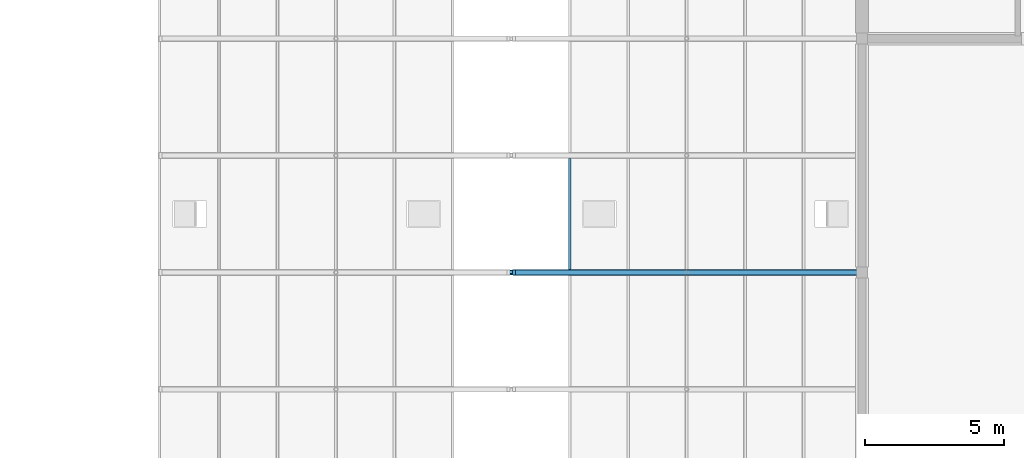
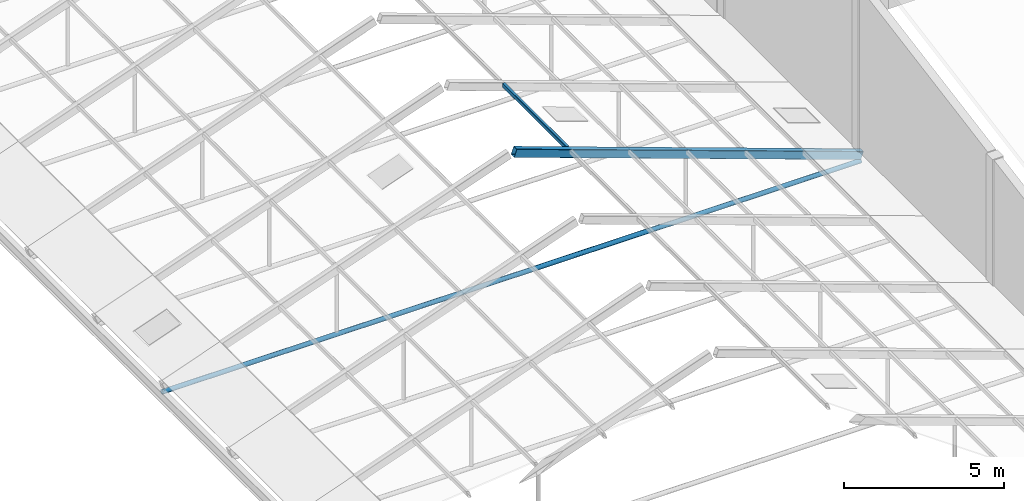
# One storey, part 55 of 116: 3 members.
"""IFC4 building model written with IfcOpenShell, lengths in metres."""

import ifcopenshell
import ifcopenshell.guid

model = None  # the IFC model being written
_history = None  # IfcOwnerHistory: only IFC2X3 demands one
_inside = {}  # id of a spatial element -> (the spatial element, [elements in it])
_under = {}  # id of a project, library or spatial element -> (it, [spatial elements below it])
_declared = {}  # id of a project -> (the project, [libraries it declares])
_typed = {}  # id of a type object -> (the type object, [elements of that type])
_made_of = {}  # id of a material, layer set ... -> (it, [elements and type objects made of it])


def new_model(schema):
    """Start an empty IFC model of exactly this schema.

    Asked for "IFC4X3", IfcOpenShell would pick the latest addendum, in which some entities
    have other attributes; the version numbers below select the first issue.
    IFC2X3 requires an IfcOwnerHistory on every rooted entity: one is made here for all.
    """
    global model, _history
    if schema == "IFC4X3":
        model = ifcopenshell.file(schema_version=(4, 3, 0, 0))
    else:
        model = ifcopenshell.file(schema=schema)
    _inside.clear()
    _under.clear()
    _declared.clear()
    _typed.clear()
    _made_of.clear()
    _history = None
    if model.schema == "IFC2X3":
        org = make("IfcOrganization", Name="unknown")
        user = make(
            "IfcPersonAndOrganization",
            ThePerson=make("IfcPerson", FamilyName="unknown"),
            TheOrganization=org,
        )
        app = make(
            "IfcApplication",
            ApplicationDeveloper=org,
            Version="unknown",
            ApplicationFullName="unknown",
            ApplicationIdentifier="unknown",
        )
        _history = make(
            "IfcOwnerHistory",
            OwningUser=user,
            OwningApplication=app,
            ChangeAction="ADDED",
            CreationDate=0,
        )
    return model


def make(cls, **values):
    """One entity of the class cls with the attributes given. An attribute that is None is left unset."""
    return model.create_entity(
        cls, **{name: value for name, value in values.items() if value is not None}
    )


def rooted(cls, **values):
    """An entity with a GlobalId (a new one), such as an element, a storey or a relation."""
    return make(cls, GlobalId=ifcopenshell.guid.new(), OwnerHistory=_history, **values)


def si_unit(unit_type, name, prefix=None):
    """IfcSIUnit, for example si_unit("LENGTHUNIT", "METRE", prefix="MILLI")."""
    return make("IfcSIUnit", UnitType=unit_type, Prefix=prefix, Name=name)


def assignment(units):
    """IfcUnitAssignment: the units of a project."""
    return None if units is None else make("IfcUnitAssignment", Units=units)


def point(xyz):
    """IfcCartesianPoint."""
    return None if xyz is None else make("IfcCartesianPoint", Coordinates=xyz)


def direction(xyz):
    """IfcDirection."""
    return None if xyz is None else make("IfcDirection", DirectionRatios=xyz)


def frame(location, z_axis=None, x_axis=None):
    """IfcAxis2Placement3D, a coordinate frame: its origin and axes. An axis left out is left unset."""
    return make(
        "IfcAxis2Placement3D",
        Location=point(location),
        Axis=direction(z_axis),
        RefDirection=direction(x_axis),
    )


def frame_2d(location, x_axis=None):
    """IfcAxis2Placement2D, a coordinate frame in the plane: its origin and x axis."""
    return make(
        "IfcAxis2Placement2D", Location=point(location), RefDirection=direction(x_axis)
    )


def origin():
    """The frame at (0, 0, 0) with its axes left unset."""
    return frame((0.0, 0.0, 0.0))


def origin_2d():
    """The frame at (0, 0) in the plane with its x axis left unset."""
    return frame_2d((0.0, 0.0))


def place(relative_to, where):
    """IfcLocalPlacement: puts the frame where relative to a parent placement (None: the world)."""
    return make(
        "IfcLocalPlacement", PlacementRelTo=relative_to, RelativePlacement=where
    )


def context(
    kind, dimensions, precision=None, world=None, true_north=None, identifier=None
):
    """IfcGeometricRepresentationContext, for example the 3D "Model" context."""
    return make(
        "IfcGeometricRepresentationContext",
        ContextIdentifier=identifier,
        ContextType=kind,
        CoordinateSpaceDimension=dimensions,
        Precision=precision,
        WorldCoordinateSystem=world,
        TrueNorth=true_north,
    )


def subcontext(parent, identifier, kind, view, scale=None):
    """IfcGeometricRepresentationSubContext, for example "Body" below "Model"."""
    return make(
        "IfcGeometricRepresentationSubContext",
        ContextIdentifier=identifier,
        ContextType=kind,
        ParentContext=parent,
        TargetScale=scale,
        TargetView=view,
    )


def project(units=None, contexts=None):
    """IfcProject with its units and contexts."""
    return rooted(
        "IfcProject",
        Name="project",
        RepresentationContexts=contexts,
        UnitsInContext=assignment(units),
    )


def spatial(cls, under=None, at=None, **own):
    """A site, building, storey or space (cls), placed at a placement, below another one or the project."""
    s = rooted(cls, ObjectPlacement=at, **own)
    if under is not None:
        _under.setdefault(under.id(), (under, []))[1].append(s)
    return s


def profile(cls, at=None, kind="AREA", **sizes):
    """A parametric profile (cls). Its sizes go by their IFC names, for example OverallWidth=200.0."""
    return make(cls, ProfileType=kind, Position=at, **sizes)


def hollow_rectangle(**sizes):
    """IfcRectangleHollowProfileDef."""
    return profile("IfcRectangleHollowProfileDef", **sizes)


def hollow_circle(**sizes):
    """IfcCircleHollowProfileDef."""
    return profile("IfcCircleHollowProfileDef", **sizes)


def extrude(swept, where, along, depth):
    """IfcExtrudedAreaSolid: the profile swept, set in the frame where, extruded along a direction by depth."""
    return make(
        "IfcExtrudedAreaSolid",
        SweptArea=swept,
        Position=where,
        ExtrudedDirection=direction(along),
        Depth=depth,
    )


def shape(context_of_items, identifier, shape_type, items):
    """IfcShapeRepresentation: the items that make up one representation, for example the "Body"."""
    return make(
        "IfcShapeRepresentation",
        ContextOfItems=context_of_items,
        RepresentationIdentifier=identifier,
        RepresentationType=shape_type,
        Items=items,
    )


def material(Name=None, Category=None):
    """IfcMaterial."""
    return make("IfcMaterial", Name=Name, Category=Category)


def material_profile(
    of_material, cross_section, Name=None, Category=None, Priority=None
):
    """IfcMaterialProfile: a cross section and its material."""
    return make(
        "IfcMaterialProfile",
        Name=Name,
        Material=of_material,
        Profile=cross_section,
        Priority=Priority,
        Category=Category,
    )


def profile_set(profiles, Name=None, composite=None):
    """IfcMaterialProfileSet."""
    return make(
        "IfcMaterialProfileSet",
        Name=Name,
        MaterialProfiles=profiles,
        CompositeProfile=composite,
    )


def made_of(thing, what):
    """Note that an element or type object is made of a material, layer set ...; save() writes the relation."""
    if what is not None:
        _made_of.setdefault(what.id(), (what, []))[1].append(thing)
    return thing


def type_object(cls, material=None, **own):
    """A type object (cls), such as IfcWallType, which elements share."""
    return made_of(rooted(cls, **own), material)


def element(
    cls,
    number,
    at=None,
    inside=None,
    cuts=None,
    type_object=None,
    material=None,
    context=None,
    identifier="Body",
    shape_type=None,
    held_by="IfcProductDefinitionShape",
    body=None,
    shapes=None,
    **own,
):
    """One element of the class cls, such as IfcWall. Its Tag is "e" and its number.

    at: its placement. inside: the storey or other place that contains it. cuts: it is an
    opening in that element (IfcRelVoidsElement). A single representation is given by context,
    identifier, shape_type and body (its items); several are given by shapes. held_by: the class
    of the entity that holds the representations. save() writes the other relations.
    """
    e = rooted(cls, Tag="e%d" % number, ObjectPlacement=at, **own)
    if body is not None:
        shapes = [shape(context, identifier, shape_type, body)]
    if shapes is not None:
        e.Representation = make(held_by, Representations=shapes)
    if inside is not None:
        _inside.setdefault(inside.id(), (inside, []))[1].append(e)
    if cuts is not None:
        rooted(
            "IfcRelVoidsElement", RelatingBuildingElement=cuts, RelatedOpeningElement=e
        )
    if type_object is not None:
        _typed.setdefault(type_object.id(), (type_object, []))[1].append(e)
    return made_of(e, material)


def aggregate(whole, parts):
    """IfcRelAggregates: a whole, such as a stair, and the parts it consists of."""
    return rooted("IfcRelAggregates", RelatingObject=whole, RelatedObjects=parts)


def save(model, path):
    """Write the relations noted so far, then the file.

    IfcRelAggregates (storeys below a building ...), IfcRelContainedInSpatialStructure (elements
    in a storey), IfcRelDefinesByType, IfcRelAssociatesMaterial and IfcRelDeclares: one each for
    every whole, place, type object, material and project.
    """
    for whole, parts in _under.values():
        aggregate(whole, parts)
    for where, things in _inside.values():
        rooted(
            "IfcRelContainedInSpatialStructure",
            RelatedElements=things,
            RelatingStructure=where,
        )
    for kind, things in _typed.values():
        rooted("IfcRelDefinesByType", RelatedObjects=things, RelatingType=kind)
    for what, things in _made_of.values():
        rooted("IfcRelAssociatesMaterial", RelatedObjects=things, RelatingMaterial=what)
    for by, libraries in _declared.values():
        rooted("IfcRelDeclares", RelatingContext=by, RelatedDefinitions=libraries)
    model.write(path)


model = new_model("IFC4")

# Units and contexts
model_context = context("Model", 3, precision=1e-05, world=origin(), true_north=direction((0.0, 1.0)))
body_context = subcontext(model_context, "Body", "Model", "MODEL_VIEW")
ifc_project = project(units=[si_unit("LENGTHUNIT", "METRE"), si_unit("AREAUNIT", "SQUARE_METRE"), si_unit("VOLUMEUNIT", "CUBIC_METRE"), si_unit("PLANEANGLEUNIT", "RADIAN"), si_unit("MASSUNIT", "GRAM", prefix="KILO")], contexts=[model_context])

# Site, building, storey
site_placement = place(None, origin())
site = spatial("IfcSite", under=ifc_project, at=site_placement, CompositionType="ELEMENT")
building_placement = place(site_placement, origin())
building = spatial("IfcBuilding", under=site, at=building_placement, Name="Fescue Hill Polytechnic", CompositionType="ELEMENT")
storey_placement = place(building_placement, frame((0.0, 0.0, 13.5)))
storey = spatial("IfcBuildingStorey", under=building, at=storey_placement, Name="L03", CompositionType="ELEMENT", Elevation=13.5)

# Members
ifc_material = material(Name="Steel 350W (350 MPa)", Category="steel")
ifc_material_profile_1 = material_profile(ifc_material, hollow_rectangle(XDim=0.1015625, YDim=0.15234375, WallThickness=0.00634765625, InnerFilletRadius=0.00634765625, OuterFilletRadius=0.0126953125, at=origin_2d()), Name="Winter garden glazing purlin HSS 152x102x6.4")
ifc_profile_set_1 = profile_set([ifc_material_profile_1], Name="Steel 350W (350 MPa)")
member_type_1 = type_object("IfcMemberType", Name="Winter garden glazing purlin HSS 152x102x6.4", PredefinedType="PURLIN", material=ifc_profile_set_1)
member_1_placement = place(storey_placement, frame((107.100341796875, 84.1015625, 4.414306640625), z_axis=(0.0, 1.0, 0.0), x_axis=(-1.0, 0.0, 0.0)))
element("IfcMember", 1, at=member_1_placement, inside=storey, type_object=member_type_1, Name="Winter garden glazing purlin E5 bay 9", PredefinedType="PURLIN", context=body_context, shape_type="SweptSolid", body=[
    extrude(hollow_rectangle(XDim=0.1015625, YDim=0.15234375, WallThickness=0.00634765625, InnerFilletRadius=0.00634765625, OuterFilletRadius=0.0126953125, at=origin_2d()), origin(), (0.0, 0.0, 1.0), 3.996826171875),
])
ifc_material_profile_2 = material_profile(ifc_material, hollow_rectangle(XDim=0.203125, YDim=0.3046875, WallThickness=0.009521484375, InnerFilletRadius=0.009521484375, OuterFilletRadius=0.01904296875, at=origin_2d()), Name="Winter garden rafter HSS 305x203x9.5")
ifc_profile_set_2 = profile_set([ifc_material_profile_2], Name="Steel 350W (350 MPa)")
member_type_2 = type_object("IfcMemberType", Name="Winter garden rafter HSS 305x203x9.5", PredefinedType="RAFTER", material=ifc_profile_set_2)
member_2_placement = place(storey_placement, frame((117.60009765625, 84.0, 0.578857421875), z_axis=(-0.941740247025, 0.0, 0.336341057756), x_axis=(0.0, -1.0, 0.0)))
element("IfcMember", 2, at=member_2_placement, inside=storey, type_object=member_type_2, Name="Winter garden rafter E9", PredefinedType="RAFTER", context=body_context, shape_type="SweptSolid", body=[
    extrude(hollow_rectangle(XDim=0.203125, YDim=0.3046875, WallThickness=0.009521484375, InnerFilletRadius=0.009521484375, OuterFilletRadius=0.01904296875, at=origin_2d()), origin(), (0.0, 0.0, 1.0), 13.273193359375),
])
ifc_material_profile_3 = material_profile(ifc_material, hollow_circle(Radius=0.084228515625, WallThickness=0.009521484375, at=origin_2d()), Name="Winter garden tie CHS 168x9.5")
ifc_profile_set_3 = profile_set([ifc_material_profile_3], Name="Steel 350W (350 MPa)")
member_type_3 = type_object("IfcMemberType", Name="Winter garden tie CHS 168x9.5", PredefinedType="STRUT", material=ifc_profile_set_3)
member_3_placement = place(storey_placement, frame((92.39990234375, 84.0, 0.332763671875), z_axis=(1.0, 0.0, 0.0), x_axis=(0.0, 1.0, 0.0)))
element("IfcMember", 3, at=member_3_placement, inside=storey, type_object=member_type_3, Name="Winter garden tie 9", PredefinedType="STRUT", context=body_context, shape_type="SweptSolid", body=[
    extrude(hollow_circle(Radius=0.084228515625, WallThickness=0.009521484375, at=origin_2d()), origin(), (0.0, 0.0, 1.0), 25.2001953125),
])

save(model, "model.ifc")
